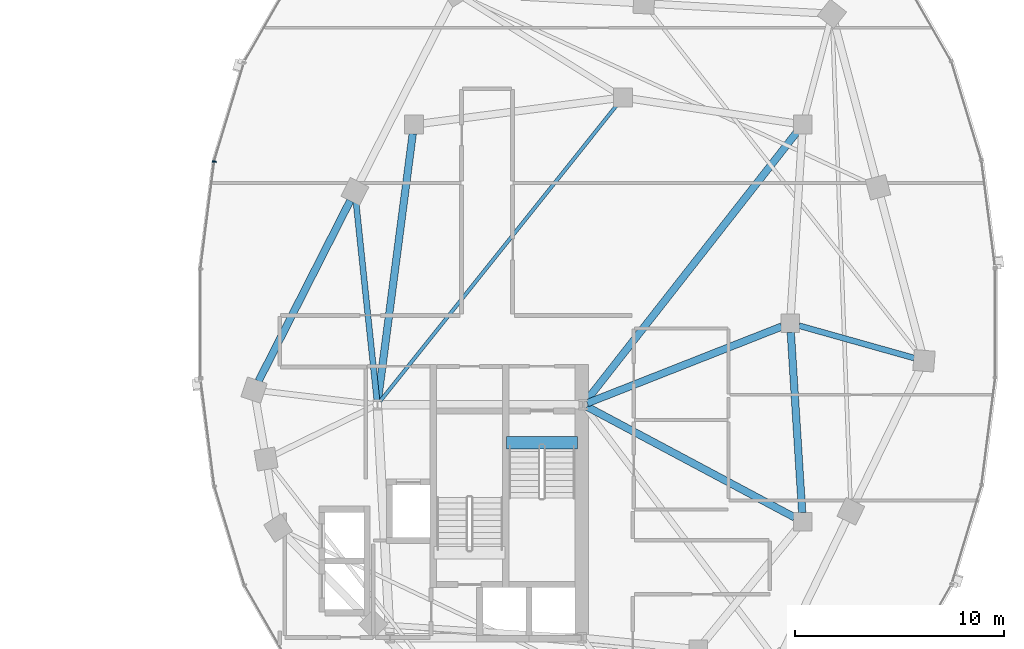
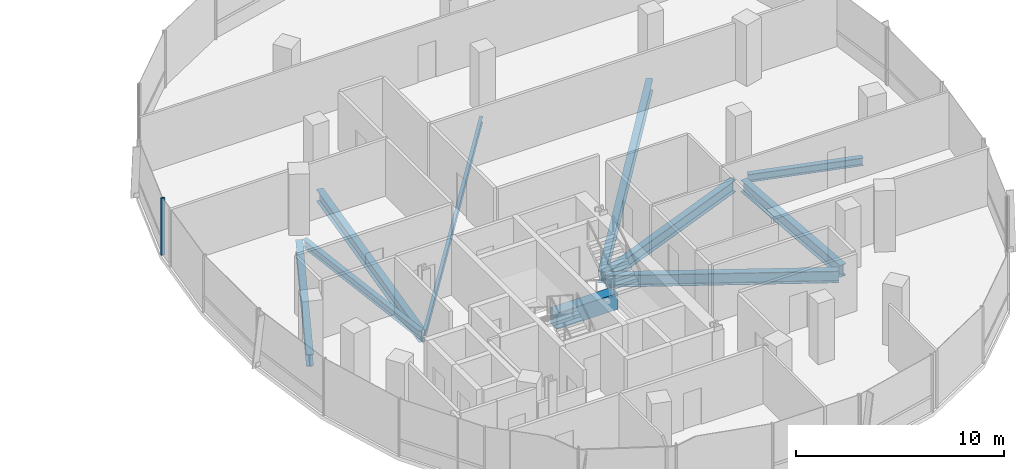
# One storey, part 7 of 23: 10 beams, 1 member, 1 element without a shape of its own.
"""IFC4 building model written with IfcOpenShell, lengths in metres."""

from ifc_helpers import new_model, si_unit, direction, frame, origin, origin_2d, place, context, subcontext, project, spatial, rectangle, i_section, extrude, material, material_profile, profile_set, type_object, element, aggregate, save


model = new_model("IFC4")

# Units and contexts
model_context = context("Model", 3, precision=1e-05, world=origin(), true_north=direction((0.0, 1.0)))
body_context = subcontext(model_context, "Body", "Model", "MODEL_VIEW")
ifc_project = project(units=[si_unit("LENGTHUNIT", "METRE"), si_unit("AREAUNIT", "SQUARE_METRE"), si_unit("VOLUMEUNIT", "CUBIC_METRE"), si_unit("PLANEANGLEUNIT", "RADIAN"), si_unit("MASSUNIT", "GRAM", prefix="KILO"), si_unit("THERMODYNAMICTEMPERATUREUNIT", "KELVIN"), si_unit("POWERUNIT", "WATT")], contexts=[model_context])

# Site, building, storey
site_placement = place(None, origin())
site = spatial("IfcSite", under=ifc_project, at=site_placement, CompositionType="ELEMENT")
building_placement = place(site_placement, origin())
building = spatial("IfcBuilding", under=site, at=building_placement, Name="Cundina Bronze Exchange", CompositionType="ELEMENT")
storey_placement = place(building_placement, frame((0.0, 0.0, 172.800048828125)))
storey = spatial("IfcBuildingStorey", under=building, at=storey_placement, Name="L45", CompositionType="ELEMENT", Elevation=172.800048828125)

# Beams
ifc_material_1 = material(Name="Concrete C60/75", Category="concrete")
ifc_material_profile_1 = material_profile(ifc_material_1, rectangle(XDim=0.60009765625, YDim=0.949951171875, at=origin_2d()), Name="RC600X950", Category="concrete")
ifc_profile_set_1 = profile_set([ifc_material_profile_1], Name="Concrete C60/75")
beam_type_1 = type_object("IfcBeamType", Name="BM-COUP-RC950", PredefinedType="LINTEL", material=ifc_profile_set_1)
beam_1_placement = place(storey_placement, frame((27.6201171875, -5.719970703125, -0.47509765625), z_axis=(1.0, 0.0, 0.0), x_axis=(0.0, 1.0, 0.0)))
element("IfcBeam", 1, at=beam_1_placement, inside=storey, type_object=beam_type_1, Name="L45 Stair E1 Landing Header Beam", PredefinedType="LINTEL", context=body_context, shape_type="SweptSolid", body=[
    extrude(rectangle(XDim=0.60009765625, YDim=0.949951171875, at=origin_2d()), origin(), (0.0, 0.0, 1.0), 3.39990234375),
])
ifc_material_2 = material(Name="Steel ASTM A992 Grade 50", Category="steel")
ifc_material_profile_2 = material_profile(ifc_material_2, i_section(OverallWidth=0.280029296875, OverallDepth=0.462890625, WebThickness=0.0107421875, FlangeThickness=0.017333984375, FilletRadius=0.011962890625, at=origin_2d()), Name="W18X76", Category="steel")
ifc_profile_set_2 = profile_set([ifc_material_profile_2], Name="Steel ASTM A992 Grade 50")
beam_type_2 = type_object("IfcBeamType", Name="BM-FLR-W18A", PredefinedType="BEAM", material=ifc_profile_set_2)
beam_2_placement = place(storey_placement, frame((41.62158203125, -0.11865234375, -0.471435546875), z_axis=(0.962649202648, -0.270751754643, 0.0), x_axis=(0.270751754643, 0.962649202648, 0.0)))
element("IfcBeam", 2, at=beam_2_placement, inside=storey, type_object=beam_type_2, Name="L45 Leg E Chordal Floor Beam 08", PredefinedType="BEAM", context=body_context, shape_type="SweptSolid", body=[
    extrude(i_section(OverallWidth=0.280029296875, OverallDepth=0.462890625, WebThickness=0.0107421875, FlangeThickness=0.017333984375, FilletRadius=0.011962890625, at=origin_2d()), origin(), (0.0, 0.0, 1.0), 5.72216796875),
])
beam_3_placement = place(storey_placement, frame((21.4287109375, -3.697021484375, -0.471435546875), z_axis=(-0.104834931651, 0.9944896365, 0.0), x_axis=(-0.9944896365, -0.104834931651, 0.0)))
element("IfcBeam", 3, at=beam_3_placement, inside=storey, type_object=beam_type_2, Name="L45 Leg E Chordal Floor Beam 13", PredefinedType="BEAM", context=body_context, shape_type="SweptSolid", body=[
    extrude(i_section(OverallWidth=0.280029296875, OverallDepth=0.462890625, WebThickness=0.0107421875, FlangeThickness=0.017333984375, FilletRadius=0.011962890625, at=origin_2d()), origin(), (0.0, 0.0, 1.0), 9.564453125),
])
ifc_material_profile_3 = material_profile(ifc_material_2, i_section(OverallWidth=0.172119140625, OverallDepth=0.35791015625, WebThickness=0.0078125, FlangeThickness=0.01318359375, FilletRadius=0.010009765625, at=origin_2d()), Name="W14X38", Category="steel")
ifc_profile_set_3 = profile_set([ifc_material_profile_3], Name="Steel ASTM A992 Grade 50")
beam_type_3 = type_object("IfcBeamType", Name="BM-JST-W14", PredefinedType="JOIST", material=ifc_profile_set_3)
beam_4_placement = place(storey_placement, frame((21.577392578125, -3.740478515625, -0.4189453125), z_axis=(0.624370675223, 0.781128196854, 0.0), x_axis=(-0.781128196854, 0.624370675223, 0.0)))
element("IfcBeam", 4, at=beam_4_placement, inside=storey, type_object=beam_type_3, Name="L45 E Interior Core-to-Ring Joist 2", PredefinedType="JOIST", context=body_context, shape_type="SweptSolid", body=[
    extrude(i_section(OverallWidth=0.172119140625, OverallDepth=0.35791015625, WebThickness=0.0078125, FlangeThickness=0.01318359375, FilletRadius=0.010009765625, at=origin_2d()), origin(), (0.0, 0.0, 1.0), 18.177001953125),
])
ifc_material_profile_4 = material_profile(ifc_material_2, i_section(OverallWidth=0.35498046875, OverallDepth=0.695068359375, WebThickness=0.015380859375, FlangeThickness=0.02490234375, FilletRadius=0.01806640625, at=origin_2d()), Name="W27X146", Category="steel")
ifc_profile_set_4 = profile_set([ifc_material_profile_4], Name="Steel ASTM A992 Grade 50")
beam_type_4 = type_object("IfcBeamType", Name="BM-RING-W27", PredefinedType="USERDEFINED", material=ifc_profile_set_4)
beam_5_placement = place(storey_placement, frame((41.7724609375, -9.06298828125, -0.587646484375), z_axis=(-0.063046519736, 0.998010589297, 0.0), x_axis=(-0.998010589297, -0.063046519736, 0.0)))
element("IfcBeam", 5, at=beam_5_placement, inside=storey, type_object=beam_type_4, Name="L45 E Inner Structural Ring Girder 03", ObjectType="GIRDER", PredefinedType="USERDEFINED", context=body_context, shape_type="SweptSolid", body=[
    extrude(i_section(OverallWidth=0.35498046875, OverallDepth=0.695068359375, WebThickness=0.015380859375, FlangeThickness=0.02490234375, FilletRadius=0.01806640625, at=origin_2d()), origin(), (0.0, 0.0, 1.0), 8.64306640625),
])
beam_6_placement = place(storey_placement, frame((23.143310546875, 9.065673828125, -0.587646484375), z_axis=(-0.129507030047, -0.991578503785, 0.0), x_axis=(0.991578503785, -0.129507030047, 0.0)))
element("IfcBeam", 6, at=beam_6_placement, inside=storey, type_object=beam_type_4, Name="L45 E Inner Structural Ring Girder 07", ObjectType="GIRDER", PredefinedType="USERDEFINED", context=body_context, shape_type="SweptSolid", body=[
    extrude(i_section(OverallWidth=0.35498046875, OverallDepth=0.695068359375, WebThickness=0.015380859375, FlangeThickness=0.02490234375, FilletRadius=0.01806640625, at=origin_2d()), origin(), (0.0, 0.0, 1.0), 12.871826171875),
])
beam_7_placement = place(storey_placement, frame((31.48974609375, -3.8251953125, -0.587646484375), z_axis=(0.930405617189, 0.36653156413, 0.0), x_axis=(-0.36653156413, 0.930405617189, 0.0)))
element("IfcBeam", 7, at=beam_7_placement, inside=storey, type_object=beam_type_4, Name="L45 E Core-to-Waist Tie Beam 1", ObjectType="GIRDER", PredefinedType="USERDEFINED", context=body_context, shape_type="SweptSolid", body=[
    extrude(i_section(OverallWidth=0.35498046875, OverallDepth=0.695068359375, WebThickness=0.015380859375, FlangeThickness=0.02490234375, FilletRadius=0.01806640625, at=origin_2d()), origin(), (0.0, 0.0, 1.0), 9.99853515625),
])
beam_8_placement = place(storey_placement, frame((31.47998046875, -3.99609375, -0.587646484375), z_axis=(0.88235534237, -0.470583733028, 0.0), x_axis=(0.470583733028, 0.88235534237, 0.0)))
element("IfcBeam", 8, at=beam_8_placement, inside=storey, type_object=beam_type_4, Name="L45 E Core-to-Waist Tie Beam 2", ObjectType="GIRDER", PredefinedType="USERDEFINED", context=body_context, shape_type="SweptSolid", body=[
    extrude(i_section(OverallWidth=0.35498046875, OverallDepth=0.695068359375, WebThickness=0.015380859375, FlangeThickness=0.02490234375, FilletRadius=0.01806640625, at=origin_2d()), origin(), (0.0, 0.0, 1.0), 11.258056640625),
])
beam_9_placement = place(storey_placement, frame((31.42578125, -3.739501953125, -0.587646484375), z_axis=(0.616779109924, 0.787136283982, 0.0), x_axis=(-0.787136283982, 0.616779109924, 0.0)))
element("IfcBeam", 9, at=beam_9_placement, inside=storey, type_object=beam_type_4, Name="L45 E Core-to-Waist Tie Beam 3", ObjectType="GIRDER", PredefinedType="USERDEFINED", context=body_context, shape_type="SweptSolid", body=[
    extrude(i_section(OverallWidth=0.35498046875, OverallDepth=0.695068359375, WebThickness=0.015380859375, FlangeThickness=0.02490234375, FilletRadius=0.01806640625, at=origin_2d()), origin(), (0.0, 0.0, 1.0), 16.3818359375),
])
beam_10_placement = place(storey_placement, frame((20.154052734375, 5.864990234375, -0.587646484375), z_axis=(-0.452834585354, -0.891594548159, 0.0), x_axis=(0.891594548159, -0.452834585354, 0.0)))
element("IfcBeam", 10, at=beam_10_placement, inside=storey, type_object=beam_type_4, Name="L45 E Perimeter Ring Girder 13", ObjectType="GIRDER", PredefinedType="USERDEFINED", context=body_context, shape_type="SweptSolid", body=[
    extrude(i_section(OverallWidth=0.35498046875, OverallDepth=0.695068359375, WebThickness=0.015380859375, FlangeThickness=0.02490234375, FilletRadius=0.01806640625, at=origin_2d()), origin(), (0.0, 0.0, 1.0), 9.67919921875),
])

# Curtain wall, member
ifc_material_3 = material(Name="Anodised Bronze Aluminium 6063-T6", Category="aluminium")
curtain_wall_type = type_object("IfcCurtainWallType", Name="CWS-WST-PIN", PredefinedType="NOTDEFINED", material=ifc_material_3)
curtain_wall_placement = place(storey_placement, origin())
curtain_wall = element("IfcCurtainWall", 11, at=curtain_wall_placement, inside=storey, type_object=curtain_wall_type, Name="L45 CW-04 Curtain Wall Run CWR-L45-E2", PredefinedType="NOTDEFINED")
ifc_material_profile_5 = material_profile(ifc_material_3, rectangle(XDim=0.070068359375, YDim=0.18994140625, at=origin_2d()), Name="AL70X190", Category="aluminium")
ifc_profile_set_5 = profile_set([ifc_material_profile_5], Name="Anodised Bronze Aluminium 6063-T6")
member_type = type_object("IfcMemberType", Name="CWM-MUL-190", PredefinedType="MULLION", material=ifc_profile_set_5)
member_placement = place(storey_placement, frame((13.642822265625, 7.731689453125, 0.0), z_axis=(0.0, 0.0, 1.0), x_axis=(-0.126545236492, -0.991960837494, 0.0)))
member = element("IfcMember", 12, at=member_placement, type_object=member_type, Name="CW-04 Mullion 6", PredefinedType="MULLION", context=body_context, shape_type="SweptSolid", body=[
    extrude(rectangle(XDim=0.070068359375, YDim=0.18994140625, at=origin_2d()), origin(), (0.0, 0.0, 1.0), 3.35986328125),
])
aggregate(curtain_wall, [member])

save(model, "model.ifc")
